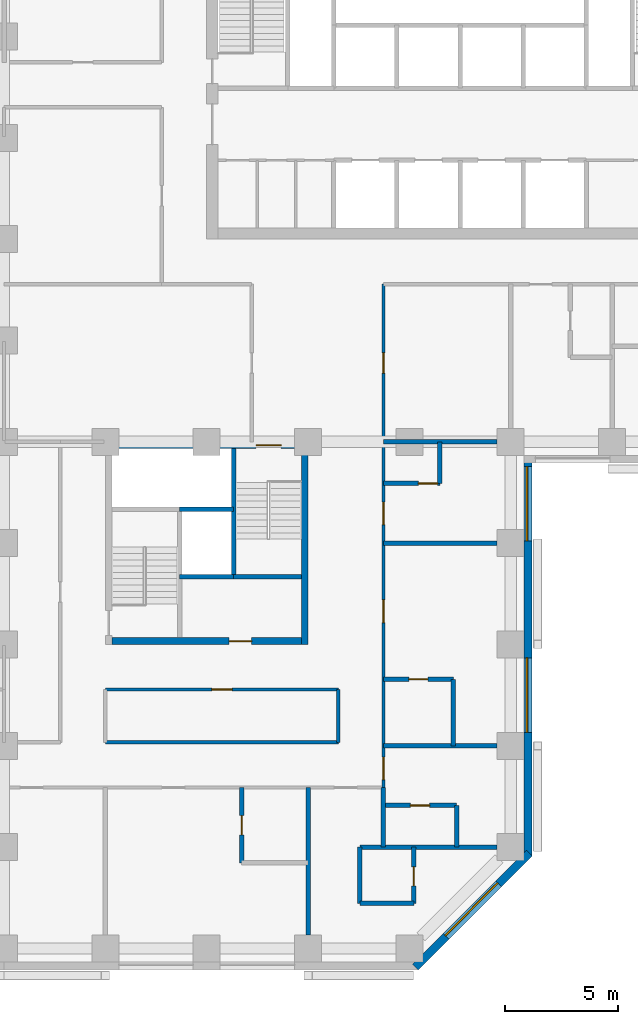
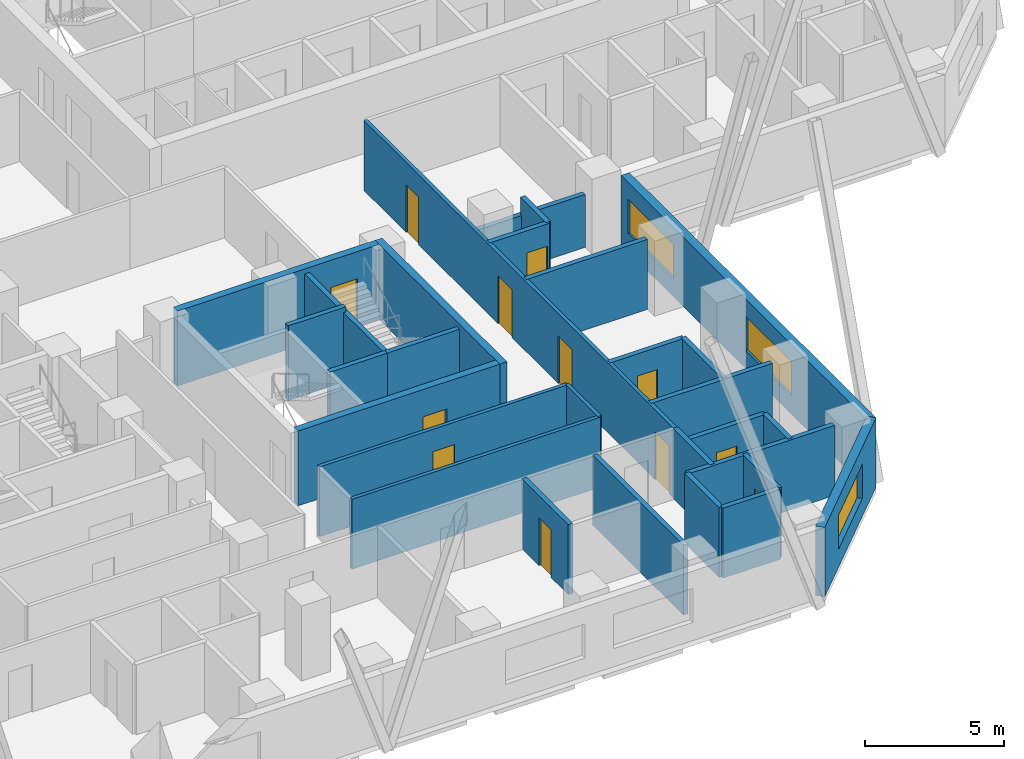
# One storey, part 5 of 13: 29 walls, 12 doors, 3 windows, 15 openings.
"""IFC4 building model written with IfcOpenShell, lengths in metres."""

from ifc_helpers import new_model, si_unit, direction, frame, frame_2d, origin, place, context, subcontext, project, spatial, rectangle, extrude, material, layer, layer_set, constituent, constituent_set, type_object, element, fill, save


model = new_model("IFC4")

# Units and contexts
model_context = context("Model", 3, precision=1e-05, world=origin(), true_north=direction((0.0, 1.0)))
body_context = subcontext(model_context, "Body", "Model", "MODEL_VIEW")
ifc_project = project(units=[si_unit("LENGTHUNIT", "METRE"), si_unit("AREAUNIT", "SQUARE_METRE"), si_unit("VOLUMEUNIT", "CUBIC_METRE"), si_unit("PLANEANGLEUNIT", "RADIAN"), si_unit("MASSUNIT", "GRAM", prefix="KILO")], contexts=[model_context])

# Site, building, storey
site_placement = place(None, origin())
site = spatial("IfcSite", under=ifc_project, at=site_placement, CompositionType="ELEMENT")
building_placement = place(site_placement, origin())
building = spatial("IfcBuilding", under=site, at=building_placement, Name="Quoin Convention Tower", CompositionType="ELEMENT")
storey_placement = place(building_placement, frame((0.0, 0.0, 39.60009765625)))
storey = spatial("IfcBuildingStorey", under=building, at=storey_placement, Name="L09", CompositionType="ELEMENT", Elevation=39.60009765625)

# Wall, opening, window
ifc_material_1 = material(Name="Brick masonry", Category="masonry")
ifc_layer_1 = layer(ifc_material_1, 0.35009765625)
ifc_layer_set_1 = layer_set([ifc_layer_1], Name="Brick masonry")
wall_type_1 = type_object("IfcWallType", Name="Brick facade wall", PredefinedType="STANDARD", material=ifc_layer_set_1)
wall_1_placement = place(storey_placement, frame((54.269775390625, 17.173583984375, 0.0), z_axis=(0.0, 0.0, 1.0), x_axis=(0.707106781187, 0.707106781187, 0.0)))
wall_1 = element("IfcWall", 1, at=wall_1_placement, inside=storey, type_object=wall_type_1, Name="fw-L09-54000_18000", PredefinedType="STANDARD", context=body_context, shape_type="SweptSolid", body=[
    extrude(rectangle(XDim=7.151123046875, YDim=0.35009765625, at=frame_2d((3.57568359375, 0.0))), origin(), (0.0, 0.0, 1.0), 3.054931640625),
])
opening_1_placement = place(wall_1_placement, frame((1.925537109375, 0.0, 0.800048828125)))
opening_1 = element("IfcOpeningElement", 2, at=opening_1_placement, cuts=wall_1, Name="Opening W-01", PredefinedType="OPENING", context=body_context, shape_type="SweptSolid", body=[
    extrude(rectangle(XDim=3.300048828125, YDim=1.5, at=frame_2d((1.64990234375, 0.75))), frame((0.0, 0.18505859375, 0.0), z_axis=(0.0, -1.0, 0.0), x_axis=(1.0, 0.0, 0.0)), (0.0, 0.0, 1.0), 0.3701171875),
])
ifc_material_2 = material(Name="Aluminium", Category="aluminium")
ifc_constituent_1 = constituent(ifc_material_2, Name="Frame")
ifc_material_3 = material(Name="Insulated glass", Category="glass")
ifc_constituent_2 = constituent(ifc_material_3, Name="Glazing")
ifc_constituent_set = constituent_set(constituents=[ifc_constituent_1, ifc_constituent_2], Name="Aluminium")
window_type = type_object("IfcWindowType", Name="Hotel strip window", PartitioningType="DOUBLE_PANEL_VERTICAL", PredefinedType="WINDOW", material=ifc_constituent_set)
window_1_placement = place(opening_1_placement, origin())
window_1 = element("IfcWindow", 3, at=window_1_placement, inside=storey, type_object=window_type, Name="win-L09-56798_19702", OverallHeight=1.5, OverallWidth=3.300048828125, PartitioningType="SINGLE_PANEL", PredefinedType="WINDOW", context=body_context, shape_type="SweptSolid", body=[
    extrude(rectangle(XDim=3.300048828125, YDim=1.5, at=frame_2d((1.64990234375, 0.75))), frame((0.0, 0.0849609375, 0.0), z_axis=(0.0, -1.0, 0.0), x_axis=(1.0, 0.0, 0.0)), (0.0, 0.0, 1.0), 0.06005859375),
])
fill(opening_1, window_1)

# Wall, openings, windows
wall_2_placement = place(storey_placement, frame((59.27490234375, 22.1064453125, 0.0), z_axis=(0.0, 0.0, 1.0), x_axis=(0.0, 1.0, 0.0)))
wall_2 = element("IfcWall", 4, at=wall_2_placement, inside=storey, type_object=wall_type_1, Name="fw-L09-58500_22500", PredefinedType="STANDARD", context=body_context, shape_type="SweptSolid", body=[
    extrude(rectangle(XDim=17.79345703125, YDim=0.35009765625, at=frame_2d((8.896728515625, 0.0))), origin(), (0.0, 0.0, 1.0), 3.054931640625),
])
opening_2_placement = place(wall_2_placement, frame((5.493408203125, 0.0, 0.800048828125)))
opening_2 = element("IfcOpeningElement", 5, at=opening_2_placement, cuts=wall_2, Name="Opening W-01", PredefinedType="OPENING", context=body_context, shape_type="SweptSolid", body=[
    extrude(rectangle(XDim=3.300048828125, YDim=1.5, at=frame_2d((1.64990234375, 0.75))), frame((0.0, 0.18505859375, 0.0), z_axis=(0.0, -1.0, 0.0), x_axis=(1.0, 0.0, 0.0)), (0.0, 0.0, 1.0), 0.3701171875),
])
opening_3_placement = place(wall_2_placement, frame((13.993408203125, 0.0, 0.800048828125)))
opening_3 = element("IfcOpeningElement", 6, at=opening_3_placement, cuts=wall_2, Name="Opening W-01", PredefinedType="OPENING", context=body_context, shape_type="SweptSolid", body=[
    extrude(rectangle(XDim=3.300048828125, YDim=1.5, at=frame_2d((1.64990234375, 0.75))), frame((0.0, 0.18505859375, 0.0), z_axis=(0.0, -1.0, 0.0), x_axis=(1.0, 0.0, 0.0)), (0.0, 0.0, 1.0), 0.3701171875),
])
window_2_placement = place(opening_2_placement, origin())
window_2 = element("IfcWindow", 7, at=window_2_placement, inside=storey, type_object=window_type, Name="win-L09-59275_29250", OverallHeight=1.5, OverallWidth=3.300048828125, PartitioningType="SINGLE_PANEL", PredefinedType="WINDOW", context=body_context, shape_type="SweptSolid", body=[
    extrude(rectangle(XDim=3.300048828125, YDim=1.5, at=frame_2d((1.64990234375, 0.75))), frame((0.0, 0.0849609375, 0.0), z_axis=(0.0, -1.0, 0.0), x_axis=(1.0, 0.0, 0.0)), (0.0, 0.0, 1.0), 0.06005859375),
])
fill(opening_2, window_2)
window_3_placement = place(opening_3_placement, origin())
window_3 = element("IfcWindow", 8, at=window_3_placement, inside=storey, type_object=window_type, Name="win-L09-59275_38250", OverallHeight=1.5, OverallWidth=3.300048828125, PartitioningType="SINGLE_PANEL", PredefinedType="WINDOW", context=body_context, shape_type="SweptSolid", body=[
    extrude(rectangle(XDim=3.300048828125, YDim=1.5, at=frame_2d((1.64990234375, 0.75))), frame((0.0, 0.0849609375, 0.0), z_axis=(0.0, -1.0, 0.0), x_axis=(1.0, 0.0, 0.0)), (0.0, 0.0, 1.0), 0.06005859375),
])
fill(opening_3, window_3)

# Walls
ifc_material_4 = material(Name="Concrete C50", Category="concrete")
ifc_layer_2 = layer(ifc_material_4, 0.199951171875)
ifc_layer_set_2 = layer_set([ifc_layer_2], Name="Concrete C50")
wall_type_2 = type_object("IfcWallType", Name="Core shaft wall", PredefinedType="SOLIDWALL", material=ifc_layer_set_2)
wall_3_placement = place(storey_placement, frame((43.800048828125, 34.5, 0.0), z_axis=(0.0, 0.0, 1.0), x_axis=(1.0, 0.0, 0.0)))
element("IfcWall", 9, at=wall_3_placement, inside=storey, type_object=wall_type_2, Name="cr-P3-L09-h3000_3300", PredefinedType="SOLIDWALL", context=body_context, shape_type="SweptSolid", body=[
    extrude(rectangle(XDim=2.39990234375, YDim=0.199951171875, at=frame_2d((1.199951171875, 0.0))), origin(), (0.0, 0.0, 1.0), 3.079833984375),
])
wall_4_placement = place(storey_placement, frame((46.199951171875, 34.5, 0.0), z_axis=(0.0, 0.0, 1.0), x_axis=(1.0, 0.0, 0.0)))
element("IfcWall", 10, at=wall_4_placement, inside=storey, type_object=wall_type_2, Name="cr-P3-L09-h3000_5700", PredefinedType="SOLIDWALL", context=body_context, shape_type="SweptSolid", body=[
    extrude(rectangle(XDim=3.0, YDim=0.199951171875, at=frame_2d((1.5, 0.0))), origin(), (0.0, 0.0, 1.0), 3.079833984375),
])
wall_5_placement = place(storey_placement, frame((46.199951171875, 34.5, 0.0), z_axis=(0.0, 0.0, 1.0), x_axis=(0.0, 1.0, 0.0)))
element("IfcWall", 11, at=wall_5_placement, inside=storey, type_object=wall_type_2, Name="cr-P3-L09-v5700_3000", PredefinedType="SOLIDWALL", context=body_context, shape_type="SweptSolid", body=[
    extrude(rectangle(XDim=5.699951171875, YDim=0.199951171875, at=frame_2d((2.85009765625, 0.0))), origin(), (0.0, 0.0, 1.0), 3.079833984375),
])
ifc_layer_3 = layer(ifc_material_4, 0.199951171875)
ifc_layer_set_3 = layer_set([ifc_layer_3], Name="Concrete C50")
wall_type_3 = type_object("IfcWallType", Name="Core shaft wall to the floor level over", PredefinedType="SOLIDWALL", material=ifc_layer_set_3)
wall_6_placement = place(storey_placement, frame((43.800048828125, 37.5, 0.0), z_axis=(0.0, 0.0, 1.0), x_axis=(1.0, 0.0, 0.0)))
element("IfcWall", 12, at=wall_6_placement, inside=storey, type_object=wall_type_3, Name="cr-P3-L09-h6000_3300", PredefinedType="SOLIDWALL", context=body_context, shape_type="SweptSolid", body=[
    extrude(rectangle(XDim=2.39990234375, YDim=0.199951171875, at=frame_2d((1.199951171875, 0.0))), origin(), (0.0, 0.0, 1.0), 3.2998046875),
])

# Wall, opening, door
ifc_material_5 = material(Name="Concrete C80", Category="concrete")
ifc_layer_4 = layer(ifc_material_5, 0.300048828125)
ifc_layer_set_4 = layer_set([ifc_layer_4], Name="Concrete C80")
wall_type_4 = type_object("IfcWallType", Name="RC CORE WALL 300 C80", PredefinedType="SHEAR", material=ifc_layer_set_4)
wall_7_placement = place(storey_placement, frame((40.800048828125, 31.64990234375, 0.0), z_axis=(0.0, 0.0, 1.0), x_axis=(1.0, 0.0, 0.0)))
wall_7 = element("IfcWall", 13, at=wall_7_placement, inside=storey, type_object=wall_type_4, Name="cwl-P3-L09-S", PredefinedType="SHEAR", context=body_context, shape_type="SweptSolid", body=[
    extrude(rectangle(XDim=8.39990234375, YDim=0.300048828125, at=frame_2d((4.199951171875, 0.0))), origin(), (0.0, 0.0, 1.0), 3.2998046875),
])
opening_4_placement = place(wall_7_placement, frame((5.199951171875, 0.0, 0.0)))
opening_4 = element("IfcOpeningElement", 14, at=opening_4_placement, cuts=wall_7, Name="Opening DCV3-42", PredefinedType="OPENING", context=body_context, shape_type="SweptSolid", body=[
    extrude(rectangle(XDim=1.0, YDim=2.10009765625, at=frame_2d((0.5, 1.050048828125))), frame((0.0, 0.159912109375, 0.0), z_axis=(0.0, -1.0, 0.0), x_axis=(1.0, 0.0, 0.0)), (0.0, 0.0, 1.0), 0.320068359375),
])
ifc_material_6 = material(Name="Steel door leaf", Category="steel")
door_type_1 = type_object("IfcDoorType", Name="Service door 1000 x 2100", OperationType="SINGLE_SWING_LEFT", PredefinedType="DOOR", material=ifc_material_6)
door_1_placement = place(opening_4_placement, origin())
door_1 = element("IfcDoor", 15, at=door_1_placement, inside=storey, type_object=door_type_1, Name="cd-P3-L09-R2-S", OperationType="SINGLE_SWING_LEFT", OverallHeight=2.10009765625, OverallWidth=1.0, PredefinedType="DOOR", context=body_context, shape_type="SweptSolid", body=[
    extrude(rectangle(XDim=1.0, YDim=2.10009765625, at=frame_2d((0.5, 1.050048828125))), frame((0.0, 0.02490234375, 0.0), z_axis=(0.0, -1.0, 0.0), x_axis=(1.0, 0.0, 0.0)), (0.0, 0.0, 1.0), 0.050048828125),
])
fill(opening_4, door_1)

wall_8_placement = place(storey_placement, frame((40.800048828125, 40.35009765625, 0.0), z_axis=(0.0, 0.0, 1.0), x_axis=(1.0, 0.0, 0.0)))
wall_8 = element("IfcWall", 16, at=wall_8_placement, inside=storey, type_object=wall_type_4, Name="cwl-P3-L09-N", PredefinedType="SHEAR", context=body_context, shape_type="SweptSolid", body=[
    extrude(rectangle(XDim=8.39990234375, YDim=0.300048828125, at=frame_2d((4.199951171875, 0.0))), origin(), (0.0, 0.0, 1.0), 3.2998046875),
])
opening_5_placement = place(wall_8_placement, frame((6.39990234375, 0.0, 0.0)))
opening_5 = element("IfcOpeningElement", 17, at=opening_5_placement, cuts=wall_8, Name="Opening SD6", PredefinedType="OPENING", context=body_context, shape_type="SweptSolid", body=[
    extrude(rectangle(XDim=1.10009765625, YDim=2.10009765625, at=frame_2d((0.550048828125, 1.050048828125))), frame((0.0, 0.159912109375, 0.0), z_axis=(0.0, -1.0, 0.0), x_axis=(1.0, 0.0, 0.0)), (0.0, 0.0, 1.0), 0.320068359375),
])
door_type_2 = type_object("IfcDoorType", Name="Stair door 1100 x 2100", OperationType="SINGLE_SWING_RIGHT", PredefinedType="DOOR", material=ifc_material_6)
door_2_placement = place(opening_5_placement, frame((1.10009765625, 0.0, 0.0), z_axis=(0.0, 0.0, 1.0), x_axis=(-1.0, 0.0, 0.0)))
door_2 = element("IfcDoor", 18, at=door_2_placement, inside=storey, type_object=door_type_2, Name="cd-P3-L09-SB-N", OperationType="SINGLE_SWING_LEFT", OverallHeight=2.10009765625, OverallWidth=1.10009765625, PredefinedType="DOOR", context=body_context, shape_type="SweptSolid", body=[
    extrude(rectangle(XDim=1.10009765625, YDim=2.10009765625, at=frame_2d((0.550048828125, 1.050048828125))), frame((0.0, 0.02490234375, 0.0), z_axis=(0.0, -1.0, 0.0), x_axis=(1.0, 0.0, 0.0)), (0.0, 0.0, 1.0), 0.050048828125),
])
fill(opening_5, door_2)

# Walls
wall_9_placement = place(storey_placement, frame((49.35009765625, 31.5, 0.0), z_axis=(0.0, 0.0, 1.0), x_axis=(0.0, 1.0, 0.0)))
element("IfcWall", 19, at=wall_9_placement, inside=storey, type_object=wall_type_4, Name="cwl-P3-L09-E", PredefinedType="SHEAR", context=body_context, shape_type="SweptSolid", body=[
    extrude(rectangle(XDim=9.0, YDim=0.300048828125, at=frame_2d((4.5, 0.0))), origin(), (0.0, 0.0, 1.0), 3.2998046875),
])
ifc_layer_5 = layer(ifc_material_4, 0.199951171875)
ifc_layer_set_5 = layer_set([ifc_layer_5], Name="Concrete C50")
wall_type_5 = type_object("IfcWallType", Name="RC party wall", PredefinedType="SOLIDWALL", material=ifc_layer_set_5)
wall_10_placement = place(storey_placement, frame((49.5, 18.60009765625, 0.0), z_axis=(0.0, 0.0, 1.0), x_axis=(0.0, 1.0, 0.0)))
element("IfcWall", 20, at=wall_10_placement, inside=storey, type_object=wall_type_5, Name="pw-L09-042", PredefinedType="SOLIDWALL", context=body_context, shape_type="SweptSolid", body=[
    extrude(rectangle(XDim=6.5498046875, YDim=0.199951171875, at=frame_2d((3.27490234375, 0.0))), origin(), (0.0, 0.0, 1.0), 3.079833984375),
])
wall_11_placement = place(storey_placement, frame((51.800048828125, 20.0, 0.0), z_axis=(0.0, 0.0, 1.0), x_axis=(1.0, 0.0, 0.0)))
element("IfcWall", 21, at=wall_11_placement, inside=storey, type_object=wall_type_5, Name="pw-L09-046", PredefinedType="SOLIDWALL", context=body_context, shape_type="SweptSolid", body=[
    extrude(rectangle(XDim=2.39990234375, YDim=0.199951171875, at=frame_2d((1.199951171875, 0.0))), origin(), (0.0, 0.0, 1.0), 3.079833984375),
])
wall_12_placement = place(storey_placement, frame((51.800048828125, 20.0, 0.0), z_axis=(0.0, 0.0, 1.0), x_axis=(0.0, 1.0, 0.0)))
element("IfcWall", 22, at=wall_12_placement, inside=storey, type_object=wall_type_5, Name="pw-L09-047", PredefinedType="SOLIDWALL", context=body_context, shape_type="SweptSolid", body=[
    extrude(rectangle(XDim=2.5, YDim=0.199951171875, at=frame_2d((1.25, 0.0))), origin(), (0.0, 0.0, 1.0), 3.079833984375),
])

# Wall, opening, door
wall_13_placement = place(storey_placement, frame((54.199951171875, 20.0, 0.0), z_axis=(0.0, 0.0, 1.0), x_axis=(0.0, 1.0, 0.0)))
wall_13 = element("IfcWall", 23, at=wall_13_placement, inside=storey, type_object=wall_type_5, Name="pw-L09-048", PredefinedType="SOLIDWALL", context=body_context, shape_type="SweptSolid", body=[
    extrude(rectangle(XDim=2.5, YDim=0.199951171875, at=frame_2d((1.25, 0.0))), origin(), (0.0, 0.0, 1.0), 3.079833984375),
])
opening_6_placement = place(wall_13_placement, frame((0.77490234375, 0.0, 0.0)))
opening_6 = element("IfcOpeningElement", 24, at=opening_6_placement, cuts=wall_13, Name="Opening DHOTEL-E-37", PredefinedType="OPENING", context=body_context, shape_type="SweptSolid", body=[
    extrude(rectangle(XDim=0.85009765625, YDim=2.10009765625, at=frame_2d((0.425048828125, 1.050048828125))), frame((0.0, 0.10986328125, 0.0), z_axis=(0.0, -1.0, 0.0), x_axis=(1.0, 0.0, 0.0)), (0.0, 0.0, 1.0), 0.219970703125),
])
door_type_3 = type_object("IfcDoorType", Name="Bathroom door", OperationType="SINGLE_SWING_LEFT", PredefinedType="DOOR", material=ifc_material_6)
door_3_placement = place(opening_6_placement, frame((0.85009765625, 0.0, 0.0), z_axis=(0.0, 0.0, 1.0), x_axis=(-1.0, 0.0, 0.0)))
door_3 = element("IfcDoor", 25, at=door_3_placement, inside=storey, type_object=door_type_3, Name="dr-L09-052", OperationType="SINGLE_SWING_LEFT", OverallHeight=2.10009765625, OverallWidth=0.85009765625, PredefinedType="DOOR", context=body_context, shape_type="SweptSolid", body=[
    extrude(rectangle(XDim=0.85009765625, YDim=2.10009765625, at=frame_2d((0.425048828125, 1.050048828125))), frame((0.0, 0.02490234375, 0.0), z_axis=(0.0, -1.0, 0.0), x_axis=(1.0, 0.0, 0.0)), (0.0, 0.0, 1.0), 0.050048828125),
])
fill(opening_6, door_3)

wall_14_placement = place(storey_placement, frame((46.550048828125, 21.800048828125, 0.0), z_axis=(0.0, 0.0, 1.0), x_axis=(0.0, 1.0, 0.0)))
wall_14 = element("IfcWall", 26, at=wall_14_placement, inside=storey, type_object=wall_type_5, Name="pw-L09-050", PredefinedType="SOLIDWALL", context=body_context, shape_type="SweptSolid", body=[
    extrude(rectangle(XDim=3.349853515625, YDim=0.199951171875, at=frame_2d((1.6748046875, 0.0))), origin(), (0.0, 0.0, 1.0), 3.079833984375),
])
opening_7_placement = place(wall_14_placement, frame((1.25, 0.0, 0.0)))
opening_7 = element("IfcOpeningElement", 27, at=opening_7_placement, cuts=wall_14, Name="Opening DHOTEL-E-38", PredefinedType="OPENING", context=body_context, shape_type="SweptSolid", body=[
    extrude(rectangle(XDim=0.85009765625, YDim=2.10009765625, at=frame_2d((0.425048828125, 1.050048828125))), frame((0.0, 0.10986328125, 0.0), z_axis=(0.0, -1.0, 0.0), x_axis=(1.0, 0.0, 0.0)), (0.0, 0.0, 1.0), 0.219970703125),
])
door_4_placement = place(opening_7_placement, origin())
door_4 = element("IfcDoor", 28, at=door_4_placement, inside=storey, type_object=door_type_3, Name="dr-L09-006", OperationType="SINGLE_SWING_RIGHT", OverallHeight=2.10009765625, OverallWidth=0.85009765625, PredefinedType="DOOR", context=body_context, shape_type="SweptSolid", body=[
    extrude(rectangle(XDim=0.85009765625, YDim=2.10009765625, at=frame_2d((0.425048828125, 1.050048828125))), frame((0.0, 0.02490234375, 0.0), z_axis=(0.0, -1.0, 0.0), x_axis=(1.0, 0.0, 0.0)), (0.0, 0.0, 1.0), 0.050048828125),
])
fill(opening_7, door_4)

# Walls
wall_15_placement = place(storey_placement, frame((51.800048828125, 22.5, 0.0), z_axis=(0.0, 0.0, 1.0), x_axis=(1.0, 0.0, 0.0)))
element("IfcWall", 29, at=wall_15_placement, inside=storey, type_object=wall_type_5, Name="pw-L09-055", PredefinedType="SOLIDWALL", context=body_context, shape_type="SweptSolid", body=[
    extrude(rectangle(XDim=6.099853515625, YDim=0.199951171875, at=frame_2d((3.0498046875, 0.0))), origin(), (0.0, 0.0, 1.0), 3.079833984375),
])
wall_16_placement = place(storey_placement, frame((52.85009765625, 22.5, 0.0), z_axis=(0.0, 0.0, 1.0), x_axis=(0.0, 1.0, 0.0)))
element("IfcWall", 30, at=wall_16_placement, inside=storey, type_object=wall_type_5, Name="pw-L09-056", PredefinedType="SOLIDWALL", context=body_context, shape_type="SweptSolid", body=[
    extrude(rectangle(XDim=2.64990234375, YDim=0.199951171875, at=frame_2d((1.324951171875, 0.0))), origin(), (0.0, 0.0, 1.0), 3.079833984375),
])
wall_17_placement = place(storey_placement, frame((56.10009765625, 22.5, 0.0), z_axis=(0.0, 0.0, 1.0), x_axis=(0.0, 1.0, 0.0)))
element("IfcWall", 31, at=wall_17_placement, inside=storey, type_object=wall_type_5, Name="pw-L09-057", PredefinedType="SOLIDWALL", context=body_context, shape_type="SweptSolid", body=[
    extrude(rectangle(XDim=1.85009765625, YDim=0.199951171875, at=frame_2d((0.925048828125, 0.0))), origin(), (0.0, 0.0, 1.0), 3.079833984375),
])

# Wall, opening, door
wall_18_placement = place(storey_placement, frame((52.85009765625, 24.35009765625, 0.0), z_axis=(0.0, 0.0, 1.0), x_axis=(1.0, 0.0, 0.0)))
wall_18 = element("IfcWall", 32, at=wall_18_placement, inside=storey, type_object=wall_type_5, Name="pw-L09-060", PredefinedType="SOLIDWALL", context=body_context, shape_type="SweptSolid", body=[
    extrude(rectangle(XDim=3.25, YDim=0.199951171875, at=frame_2d((1.625, 0.0))), origin(), (0.0, 0.0, 1.0), 3.079833984375),
])
opening_8_placement = place(wall_18_placement, frame((1.199951171875, 0.0, 0.0)))
opening_8 = element("IfcOpeningElement", 33, at=opening_8_placement, cuts=wall_18, Name="Opening DHOTEL-E-41", PredefinedType="OPENING", context=body_context, shape_type="SweptSolid", body=[
    extrude(rectangle(XDim=0.85009765625, YDim=2.10009765625, at=frame_2d((0.425048828125, 1.050048828125))), frame((0.0, 0.10986328125, 0.0), z_axis=(0.0, -1.0, 0.0), x_axis=(1.0, 0.0, 0.0)), (0.0, 0.0, 1.0), 0.219970703125),
])
door_5_placement = place(opening_8_placement, origin())
door_5 = element("IfcDoor", 34, at=door_5_placement, inside=storey, type_object=door_type_3, Name="dr-L09-016", OperationType="SINGLE_SWING_LEFT", OverallHeight=2.10009765625, OverallWidth=0.85009765625, PredefinedType="DOOR", context=body_context, shape_type="SweptSolid", body=[
    extrude(rectangle(XDim=0.85009765625, YDim=2.10009765625, at=frame_2d((0.425048828125, 1.050048828125))), frame((0.0, 0.02490234375, 0.0), z_axis=(0.0, -1.0, 0.0), x_axis=(1.0, 0.0, 0.0)), (0.0, 0.0, 1.0), 0.050048828125),
])
fill(opening_8, door_5)

# Walls
wall_19_placement = place(storey_placement, frame((52.85009765625, 27.0, 0.0), z_axis=(0.0, 0.0, 1.0), x_axis=(1.0, 0.0, 0.0)))
element("IfcWall", 35, at=wall_19_placement, inside=storey, type_object=wall_type_5, Name="pw-L09-061", PredefinedType="SOLIDWALL", context=body_context, shape_type="SweptSolid", body=[
    extrude(rectangle(XDim=5.0498046875, YDim=0.199951171875, at=frame_2d((2.52490234375, 0.0))), origin(), (0.0, 0.0, 1.0), 3.079833984375),
])
wall_20_placement = place(storey_placement, frame((55.949951171875, 27.0, 0.0), z_axis=(0.0, 0.0, 1.0), x_axis=(0.0, 1.0, 0.0)))
element("IfcWall", 36, at=wall_20_placement, inside=storey, type_object=wall_type_5, Name="pw-L09-062", PredefinedType="SOLIDWALL", context=body_context, shape_type="SweptSolid", body=[
    extrude(rectangle(XDim=2.949951171875, YDim=0.199951171875, at=frame_2d((1.47509765625, 0.0))), origin(), (0.0, 0.0, 1.0), 3.079833984375),
])

# Wall, opening, door
wall_21_placement = place(storey_placement, frame((52.85009765625, 29.949951171875, 0.0), z_axis=(0.0, 0.0, 1.0), x_axis=(1.0, 0.0, 0.0)))
wall_21 = element("IfcWall", 37, at=wall_21_placement, inside=storey, type_object=wall_type_5, Name="pw-L09-065", PredefinedType="SOLIDWALL", context=body_context, shape_type="SweptSolid", body=[
    extrude(rectangle(XDim=3.099853515625, YDim=0.199951171875, at=frame_2d((1.5498046875, 0.0))), origin(), (0.0, 0.0, 1.0), 3.079833984375),
])
opening_9_placement = place(wall_21_placement, frame((1.125, 0.0, 0.0)))
opening_9 = element("IfcOpeningElement", 38, at=opening_9_placement, cuts=wall_21, Name="Opening DHOTEL-E-43", PredefinedType="OPENING", context=body_context, shape_type="SweptSolid", body=[
    extrude(rectangle(XDim=0.85009765625, YDim=2.10009765625, at=frame_2d((0.425048828125, 1.050048828125))), frame((0.0, 0.10986328125, 0.0), z_axis=(0.0, -1.0, 0.0), x_axis=(1.0, 0.0, 0.0)), (0.0, 0.0, 1.0), 0.219970703125),
])
door_6_placement = place(opening_9_placement, origin())
door_6 = element("IfcDoor", 39, at=door_6_placement, inside=storey, type_object=door_type_3, Name="dr-L09-018", OperationType="SINGLE_SWING_LEFT", OverallHeight=2.10009765625, OverallWidth=0.85009765625, PredefinedType="DOOR", context=body_context, shape_type="SweptSolid", body=[
    extrude(rectangle(XDim=0.85009765625, YDim=2.10009765625, at=frame_2d((0.425048828125, 1.050048828125))), frame((0.0, 0.02490234375, 0.0), z_axis=(0.0, -1.0, 0.0), x_axis=(1.0, 0.0, 0.0)), (0.0, 0.0, 1.0), 0.050048828125),
])
fill(opening_9, door_6)

# Wall
wall_22_placement = place(storey_placement, frame((52.85009765625, 36.0, 0.0), z_axis=(0.0, 0.0, 1.0), x_axis=(1.0, 0.0, 0.0)))
element("IfcWall", 40, at=wall_22_placement, inside=storey, type_object=wall_type_5, Name="pw-L09-069", PredefinedType="SOLIDWALL", context=body_context, shape_type="SweptSolid", body=[
    extrude(rectangle(XDim=5.0498046875, YDim=0.199951171875, at=frame_2d((2.52490234375, 0.0))), origin(), (0.0, 0.0, 1.0), 3.079833984375),
])

# Wall, opening, door
wall_23_placement = place(storey_placement, frame((52.85009765625, 38.64990234375, 0.0), z_axis=(0.0, 0.0, 1.0), x_axis=(1.0, 0.0, 0.0)))
wall_23 = element("IfcWall", 41, at=wall_23_placement, inside=storey, type_object=wall_type_5, Name="pw-L09-070", PredefinedType="SOLIDWALL", context=body_context, shape_type="SweptSolid", body=[
    extrude(rectangle(XDim=2.5, YDim=0.199951171875, at=frame_2d((1.25, 0.0))), origin(), (0.0, 0.0, 1.0), 3.079833984375),
])
opening_10_placement = place(wall_23_placement, frame((1.550048828125, 0.0, 0.0)))
opening_10 = element("IfcOpeningElement", 42, at=opening_10_placement, cuts=wall_23, Name="Opening DHOTEL-E-45", PredefinedType="OPENING", context=body_context, shape_type="SweptSolid", body=[
    extrude(rectangle(XDim=0.85009765625, YDim=2.10009765625, at=frame_2d((0.425048828125, 1.050048828125))), frame((0.0, 0.10986328125, 0.0), z_axis=(0.0, -1.0, 0.0), x_axis=(1.0, 0.0, 0.0)), (0.0, 0.0, 1.0), 0.219970703125),
])
door_7_placement = place(opening_10_placement, frame((0.85009765625, 0.0, 0.0), z_axis=(0.0, 0.0, 1.0), x_axis=(-1.0, 0.0, 0.0)))
door_7 = element("IfcDoor", 43, at=door_7_placement, inside=storey, type_object=door_type_3, Name="dr-L09-020", OperationType="SINGLE_SWING_LEFT", OverallHeight=2.10009765625, OverallWidth=0.85009765625, PredefinedType="DOOR", context=body_context, shape_type="SweptSolid", body=[
    extrude(rectangle(XDim=0.85009765625, YDim=2.10009765625, at=frame_2d((0.425048828125, 1.050048828125))), frame((0.0, 0.02490234375, 0.0), z_axis=(0.0, -1.0, 0.0), x_axis=(1.0, 0.0, 0.0)), (0.0, 0.0, 1.0), 0.050048828125),
])
fill(opening_10, door_7)

# Wall
wall_24_placement = place(storey_placement, frame((55.35009765625, 38.64990234375, 0.0), z_axis=(0.0, 0.0, 1.0), x_axis=(0.0, 1.0, 0.0)))
element("IfcWall", 44, at=wall_24_placement, inside=storey, type_object=wall_type_5, Name="pw-L09-071", PredefinedType="SOLIDWALL", context=body_context, shape_type="SweptSolid", body=[
    extrude(rectangle(XDim=1.85009765625, YDim=0.199951171875, at=frame_2d((0.925048828125, 0.0))), origin(), (0.0, 0.0, 1.0), 3.079833984375),
])

# Wall, openings, doors
ifc_material_7 = material(Name="Plasterboard")
ifc_layer_6 = layer(ifc_material_7, 0.012451171875, Name="Finish")
ifc_material_8 = material(Name="Steel stud framing", Category="steel")
ifc_layer_7 = layer(ifc_material_8, 0.125, Name="Structure")
ifc_layer_8 = layer(ifc_material_7, 0.012451171875, Name="Finish")
ifc_layer_set_6 = layer_set([ifc_layer_6, ifc_layer_7, ifc_layer_8], Name="Steel stud framing")
wall_type_6 = type_object("IfcWallType", Name="corridor partition", PredefinedType="PARTITIONING", material=ifc_layer_set_6)
wall_25_placement = place(storey_placement, frame((52.85009765625, 25.14990234375, 0.0), z_axis=(0.0, 0.0, 1.0), x_axis=(0.0, 1.0, 0.0)))
wall_25 = element("IfcWall", 45, at=wall_25_placement, inside=storey, type_object=wall_type_6, Name="pw-L09-007", PredefinedType="PARTITIONING", context=body_context, shape_type="SweptSolid", body=[
    extrude(rectangle(XDim=22.35009765625, YDim=0.14990234375, at=frame_2d((11.175048828125, 0.0))), origin(), (0.0, 0.0, 1.0), 3.079833984375),
])
opening_11_placement = place(wall_25_placement, frame((0.346923828125, 0.0, 0.0)))
opening_11 = element("IfcOpeningElement", 46, at=opening_11_placement, cuts=wall_25, Name="Opening DHOTEL-E-09", PredefinedType="OPENING", context=body_context, shape_type="SweptSolid", body=[
    extrude(rectangle(XDim=1.0, YDim=2.10009765625, at=frame_2d((0.5, 1.050048828125))), frame((0.0, 0.0849609375, 0.0), z_axis=(0.0, -1.0, 0.0), x_axis=(1.0, 0.0, 0.0)), (0.0, 0.0, 1.0), 0.169921875),
])
opening_12_placement = place(wall_25_placement, frame((7.324951171875, 0.0, 0.0)))
opening_12 = element("IfcOpeningElement", 47, at=opening_12_placement, cuts=wall_25, Name="Opening DHOTEL-E-10", PredefinedType="OPENING", context=body_context, shape_type="SweptSolid", body=[
    extrude(rectangle(XDim=1.0, YDim=2.10009765625, at=frame_2d((0.5, 1.050048828125))), frame((0.0, 0.0849609375, 0.0), z_axis=(0.0, -1.0, 0.0), x_axis=(1.0, 0.0, 0.0)), (0.0, 0.0, 1.0), 0.169921875),
])
opening_13_placement = place(wall_25_placement, frame((11.675048828125, 0.0, 0.0)))
opening_13 = element("IfcOpeningElement", 48, at=opening_13_placement, cuts=wall_25, Name="Opening DHOTEL-E-11", PredefinedType="OPENING", context=body_context, shape_type="SweptSolid", body=[
    extrude(rectangle(XDim=1.0, YDim=2.10009765625, at=frame_2d((0.5, 1.050048828125))), frame((0.0, 0.0849609375, 0.0), z_axis=(0.0, -1.0, 0.0), x_axis=(1.0, 0.0, 0.0)), (0.0, 0.0, 1.0), 0.169921875),
])
opening_14_placement = place(wall_25_placement, frame((18.39990234375, 0.0, 0.0)))
opening_14 = element("IfcOpeningElement", 49, at=opening_14_placement, cuts=wall_25, Name="Opening DHOTEL-E-12", PredefinedType="OPENING", context=body_context, shape_type="SweptSolid", body=[
    extrude(rectangle(XDim=0.89990234375, YDim=2.10009765625, at=frame_2d((0.449951171875, 1.050048828125))), frame((0.0, 0.0849609375, 0.0), z_axis=(0.0, -1.0, 0.0), x_axis=(1.0, 0.0, 0.0)), (0.0, 0.0, 1.0), 0.169921875),
])
door_type_4 = type_object("IfcDoorType", Name="Hotel room door", OperationType="SINGLE_SWING_LEFT", PredefinedType="DOOR", material=ifc_material_6)
door_8_placement = place(opening_11_placement, frame((1.0, 0.0, 0.0), z_axis=(0.0, 0.0, 1.0), x_axis=(-1.0, 0.0, 0.0)))
door_8 = element("IfcDoor", 50, at=door_8_placement, inside=storey, type_object=door_type_4, Name="dr-L09-015", OperationType="SINGLE_SWING_RIGHT", OverallHeight=2.10009765625, OverallWidth=1.0, PredefinedType="DOOR", context=body_context, shape_type="SweptSolid", body=[
    extrude(rectangle(XDim=1.0, YDim=2.10009765625, at=frame_2d((0.5, 1.050048828125))), frame((0.0, 0.02490234375, 0.0), z_axis=(0.0, -1.0, 0.0), x_axis=(1.0, 0.0, 0.0)), (0.0, 0.0, 1.0), 0.050048828125),
])
fill(opening_11, door_8)
door_9_placement = place(opening_12_placement, frame((1.0, 0.0, 0.0), z_axis=(0.0, 0.0, 1.0), x_axis=(-1.0, 0.0, 0.0)))
door_9 = element("IfcDoor", 51, at=door_9_placement, inside=storey, type_object=door_type_4, Name="dr-L09-017", OperationType="SINGLE_SWING_LEFT", OverallHeight=2.10009765625, OverallWidth=1.0, PredefinedType="DOOR", context=body_context, shape_type="SweptSolid", body=[
    extrude(rectangle(XDim=1.0, YDim=2.10009765625, at=frame_2d((0.5, 1.050048828125))), frame((0.0, 0.02490234375, 0.0), z_axis=(0.0, -1.0, 0.0), x_axis=(1.0, 0.0, 0.0)), (0.0, 0.0, 1.0), 0.050048828125),
])
fill(opening_12, door_9)
door_10_placement = place(opening_13_placement, frame((1.0, 0.0, 0.0), z_axis=(0.0, 0.0, 1.0), x_axis=(-1.0, 0.0, 0.0)))
door_10 = element("IfcDoor", 52, at=door_10_placement, inside=storey, type_object=door_type_4, Name="dr-L09-019", OperationType="SINGLE_SWING_LEFT", OverallHeight=2.10009765625, OverallWidth=1.0, PredefinedType="DOOR", context=body_context, shape_type="SweptSolid", body=[
    extrude(rectangle(XDim=1.0, YDim=2.10009765625, at=frame_2d((0.5, 1.050048828125))), frame((0.0, 0.02490234375, 0.0), z_axis=(0.0, -1.0, 0.0), x_axis=(1.0, 0.0, 0.0)), (0.0, 0.0, 1.0), 0.050048828125),
])
fill(opening_13, door_10)
door_type_5 = type_object("IfcDoorType", Name="Single room door", OperationType="SINGLE_SWING_RIGHT", PredefinedType="DOOR", material=ifc_material_6)
door_11_placement = place(opening_14_placement, frame((0.89990234375, 0.0, 0.0), z_axis=(0.0, 0.0, 1.0), x_axis=(-1.0, 0.0, 0.0)))
door_11 = element("IfcDoor", 53, at=door_11_placement, inside=storey, type_object=door_type_5, Name="dr-L09-070", OperationType="SINGLE_SWING_LEFT", OverallHeight=2.10009765625, OverallWidth=0.89990234375, PredefinedType="DOOR", context=body_context, shape_type="SweptSolid", body=[
    extrude(rectangle(XDim=0.89990234375, YDim=2.10009765625, at=frame_2d((0.449951171875, 1.050048828125))), frame((0.0, 0.02490234375, 0.0), z_axis=(0.0, -1.0, 0.0), x_axis=(1.0, 0.0, 0.0)), (0.0, 0.0, 1.0), 0.050048828125),
])
fill(opening_14, door_11)

# Walls
wall_26_placement = place(storey_placement, frame((40.5, 27.14990234375, 0.0), z_axis=(0.0, 0.0, 1.0), x_axis=(1.0, 0.0, 0.0)))
element("IfcWall", 54, at=wall_26_placement, inside=storey, type_object=wall_type_6, Name="pw-L09-014", PredefinedType="PARTITIONING", context=body_context, shape_type="SweptSolid", body=[
    extrude(rectangle(XDim=10.35009765625, YDim=0.14990234375, at=frame_2d((5.175048828125, 0.0))), origin(), (0.0, 0.0, 1.0), 3.079833984375),
])
wall_27_placement = place(storey_placement, frame((50.85009765625, 27.14990234375, 0.0), z_axis=(0.0, 0.0, 1.0), x_axis=(0.0, 1.0, 0.0)))
element("IfcWall", 55, at=wall_27_placement, inside=storey, type_object=wall_type_6, Name="pw-L09-016", PredefinedType="PARTITIONING", context=body_context, shape_type="SweptSolid", body=[
    extrude(rectangle(XDim=2.35009765625, YDim=0.14990234375, at=frame_2d((1.175048828125, 0.0))), origin(), (0.0, 0.0, 1.0), 3.079833984375),
])

# Wall, opening, door
wall_28_placement = place(storey_placement, frame((40.5, 29.5, 0.0), z_axis=(0.0, 0.0, 1.0), x_axis=(1.0, 0.0, 0.0)))
wall_28 = element("IfcWall", 56, at=wall_28_placement, inside=storey, type_object=wall_type_6, Name="pw-L09-019", PredefinedType="PARTITIONING", context=body_context, shape_type="SweptSolid", body=[
    extrude(rectangle(XDim=10.35009765625, YDim=0.14990234375, at=frame_2d((5.175048828125, 0.0))), origin(), (0.0, 0.0, 1.0), 3.079833984375),
])
opening_15_placement = place(wall_28_placement, frame((4.72509765625, 0.0, 0.0)))
opening_15 = element("IfcOpeningElement", 57, at=opening_15_placement, cuts=wall_28, Name="Opening DHOTEL-E-16", PredefinedType="OPENING", context=body_context, shape_type="SweptSolid", body=[
    extrude(rectangle(XDim=0.89990234375, YDim=2.10009765625, at=frame_2d((0.449951171875, 1.050048828125))), frame((0.0, 0.0849609375, 0.0), z_axis=(0.0, -1.0, 0.0), x_axis=(1.0, 0.0, 0.0)), (0.0, 0.0, 1.0), 0.169921875),
])
door_type_6 = type_object("IfcDoorType", Name="Service room door", OperationType="SINGLE_SWING_LEFT", PredefinedType="DOOR", material=ifc_material_6)
door_12_placement = place(opening_15_placement, frame((0.89990234375, 0.0, 0.0), z_axis=(0.0, 0.0, 1.0), x_axis=(-1.0, 0.0, 0.0)))
door_12 = element("IfcDoor", 58, at=door_12_placement, inside=storey, type_object=door_type_6, Name="dr-L09-064", OperationType="SINGLE_SWING_LEFT", OverallHeight=2.10009765625, OverallWidth=0.89990234375, PredefinedType="DOOR", context=body_context, shape_type="SweptSolid", body=[
    extrude(rectangle(XDim=0.89990234375, YDim=2.10009765625, at=frame_2d((0.449951171875, 1.050048828125))), frame((0.0, 0.02490234375, 0.0), z_axis=(0.0, -1.0, 0.0), x_axis=(1.0, 0.0, 0.0)), (0.0, 0.0, 1.0), 0.050048828125),
])
fill(opening_15, door_12)

# Wall
ifc_layer_9 = layer(ifc_material_7, 0.012451171875, Name="Finish")
ifc_layer_10 = layer(ifc_material_8, 0.175048828125, Name="Structure")
ifc_layer_11 = layer(ifc_material_7, 0.012451171875, Name="Finish")
ifc_layer_set_7 = layer_set([ifc_layer_9, ifc_layer_10, ifc_layer_11], Name="Steel stud framing")
wall_type_7 = type_object("IfcWallType", Name="guest room compartment wall under beam 750", PredefinedType="PARTITIONING", material=ifc_layer_set_7)
wall_29_placement = place(storey_placement, frame((52.85009765625, 40.5, 0.0), z_axis=(0.0, 0.0, 1.0), x_axis=(1.0, 0.0, 0.0)))
element("IfcWall", 59, at=wall_29_placement, inside=storey, type_object=wall_type_7, Name="pw-L09-001", PredefinedType="PARTITIONING", context=body_context, shape_type="SweptSolid", body=[
    extrude(rectangle(XDim=5.0498046875, YDim=0.199951171875, at=frame_2d((2.52490234375, 0.0))), origin(), (0.0, 0.0, 1.0), 2.329833984375),
])

save(model, "model.ifc")
